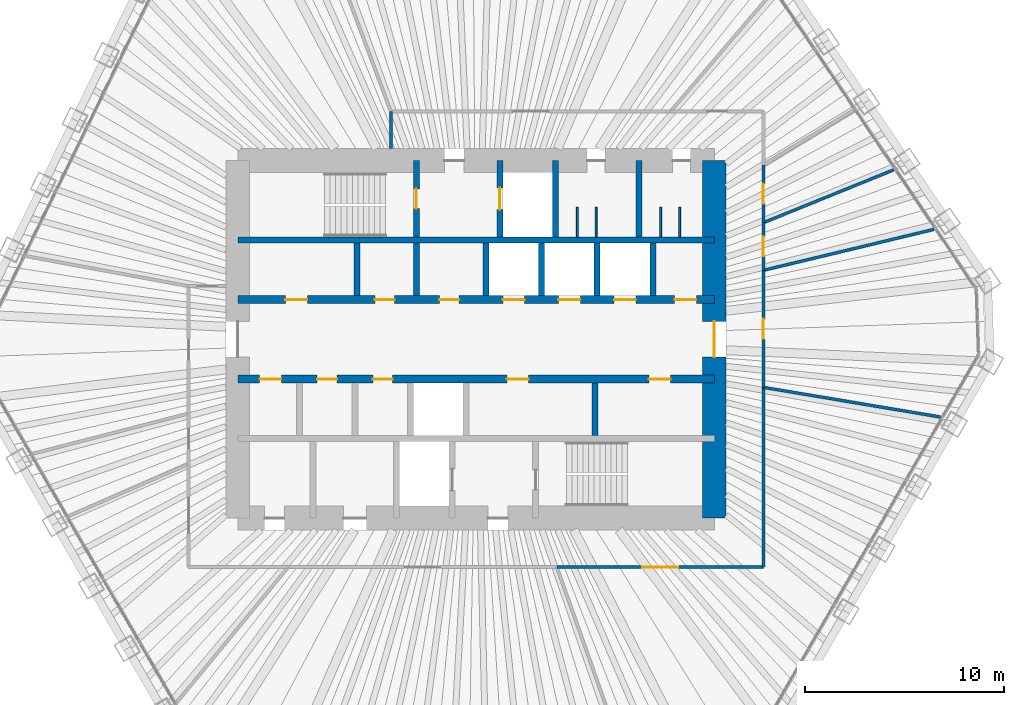
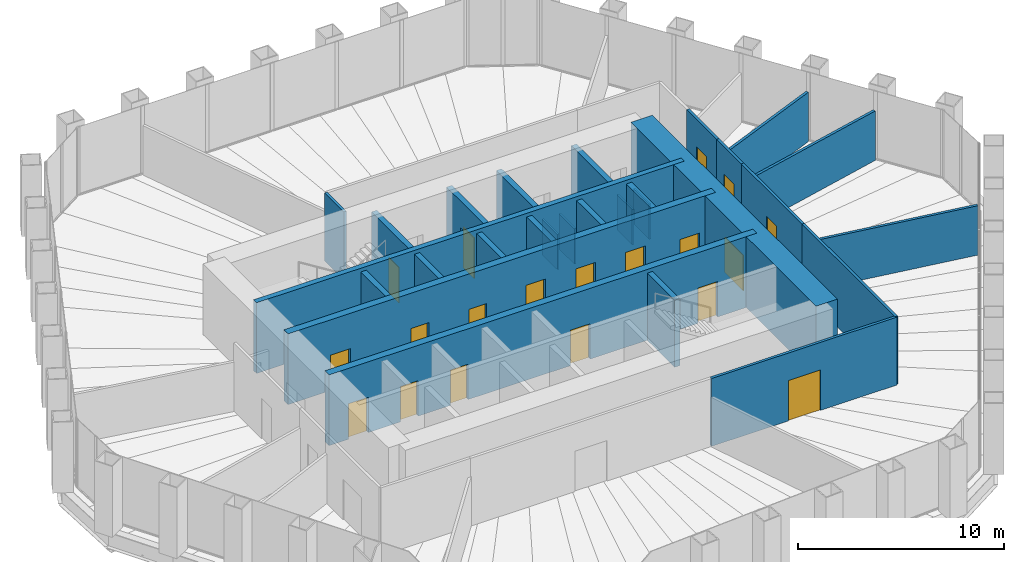
# One storey, part 11 of 13: 28 walls, 19 doors, 19 openings.
"""IFC4 building model written with IfcOpenShell, lengths in metres."""

from ifc_helpers import new_model, si_unit, direction, frame, frame_2d, origin, place, context, subcontext, project, spatial, rectangle, extrude, material, layer, layer_set, type_object, element, fill, save


model = new_model("IFC4")

# Units and contexts
model_context = context("Model", 3, precision=1e-05, world=origin(), true_north=direction((0.0, 1.0)))
body_context = subcontext(model_context, "Body", "Model", "MODEL_VIEW")
ifc_project = project(units=[si_unit("LENGTHUNIT", "METRE"), si_unit("AREAUNIT", "SQUARE_METRE"), si_unit("VOLUMEUNIT", "CUBIC_METRE"), si_unit("PLANEANGLEUNIT", "RADIAN"), si_unit("MASSUNIT", "GRAM", prefix="KILO")], contexts=[model_context])

# Site, building, storey
site_placement = place(None, origin())
site = spatial("IfcSite", under=ifc_project, at=site_placement, CompositionType="ELEMENT")
building_placement = place(site_placement, origin())
building = spatial("IfcBuilding", under=site, at=building_placement, Name="Qingtian Harvest Tower", CompositionType="ELEMENT")
storey_placement = place(building_placement, frame((0.0, 0.0, 247.60009765625)))
storey = spatial("IfcBuildingStorey", under=building, at=storey_placement, Name="L54", CompositionType="ELEMENT", Elevation=247.60009765625)

# Wall
ifc_material_1 = material(Name="Concrete fc' 70 MPa", Category="concrete")
ifc_layer_1 = layer(ifc_material_1, 0.300048828125)
ifc_layer_set_1 = layer_set([ifc_layer_1], Name="Core inner wall RC5 300")
wall_type_1 = type_object("IfcWallType", Name="Core inner wall RC5 300", PredefinedType="SHEAR", material=ifc_layer_set_1)
wall_1_placement = place(storey_placement, frame((-12.0, 5.0, 0.0), z_axis=(0.0, 0.0, 1.0), x_axis=(1.0, 0.0, 0.0)))
element("IfcWall", 1, at=wall_1_placement, inside=storey, type_object=wall_type_1, Name="Core wall IN5 L54", PredefinedType="SHEAR", context=body_context, shape_type="SweptSolid", body=[
    extrude(rectangle(XDim=24.0, YDim=0.300048828125, at=frame_2d((12.0, 0.0))), origin(), (0.0, 0.0, 1.0), 4.199951171875),
])

# Wall, openings, doors
ifc_material_2 = material(Name="Concrete fc' 70 MPa", Category="concrete")
ifc_layer_2 = layer(ifc_material_2, 0.39990234375)
ifc_layer_set_2 = layer_set([ifc_layer_2], Name="Core inner web RC6 400")
wall_type_2 = type_object("IfcWallType", Name="Core inner web RC6 400", PredefinedType="SHEAR", material=ifc_layer_set_2)
wall_2_placement = place(storey_placement, frame((-12.0, 2.0, 0.0), z_axis=(0.0, 0.0, 1.0), x_axis=(1.0, 0.0, 0.0)))
wall_2 = element("IfcWall", 2, at=wall_2_placement, inside=storey, type_object=wall_type_2, Name="Core wall IN2 L54", PredefinedType="SHEAR", context=body_context, shape_type="SweptSolid", body=[
    extrude(rectangle(XDim=24.0, YDim=0.39990234375, at=frame_2d((12.0, 0.0))), origin(), (0.0, 0.0, 1.0), 4.199951171875),
])
opening_1_placement = place(wall_2_placement, frame((2.39990234375, 0.0, 0.0)))
opening_1 = element("IfcOpeningElement", 3, at=opening_1_placement, cuts=wall_2, Name="Opening FD4", PredefinedType="OPENING", context=body_context, shape_type="SweptSolid", body=[
    extrude(rectangle(XDim=1.10009765625, YDim=2.10009765625, at=frame_2d((0.550048828125, 1.050048828125))), frame((0.0, 0.2099609375, 0.0), z_axis=(0.0, -1.0, 0.0), x_axis=(1.0, 0.0, 0.0)), (0.0, 0.0, 1.0), 0.419921875),
])
opening_2_placement = place(wall_2_placement, frame((22.0, 0.0, 0.0)))
opening_2 = element("IfcOpeningElement", 4, at=opening_2_placement, cuts=wall_2, Name="Opening FD4", PredefinedType="OPENING", context=body_context, shape_type="SweptSolid", body=[
    extrude(rectangle(XDim=1.10009765625, YDim=2.10009765625, at=frame_2d((0.550048828125, 1.050048828125))), frame((0.0, 0.2099609375, 0.0), z_axis=(0.0, -1.0, 0.0), x_axis=(1.0, 0.0, 0.0)), (0.0, 0.0, 1.0), 0.419921875),
])
opening_3_placement = place(wall_2_placement, frame((10.14990234375, 0.0, 0.0)))
opening_3 = element("IfcOpeningElement", 5, at=opening_3_placement, cuts=wall_2, Name="Opening FD1", PredefinedType="OPENING", context=body_context, shape_type="SweptSolid", body=[
    extrude(rectangle(XDim=1.0, YDim=2.10009765625, at=frame_2d((0.5, 1.050048828125))), frame((0.0, 0.2099609375, 0.0), z_axis=(0.0, -1.0, 0.0), x_axis=(1.0, 0.0, 0.0)), (0.0, 0.0, 1.0), 0.419921875),
])
opening_4_placement = place(wall_2_placement, frame((6.89990234375, 0.0, 0.0)))
opening_4 = element("IfcOpeningElement", 6, at=opening_4_placement, cuts=wall_2, Name="Opening FD1", PredefinedType="OPENING", context=body_context, shape_type="SweptSolid", body=[
    extrude(rectangle(XDim=1.0, YDim=2.10009765625, at=frame_2d((0.5, 1.050048828125))), frame((0.0, 0.2099609375, 0.0), z_axis=(0.0, -1.0, 0.0), x_axis=(1.0, 0.0, 0.0)), (0.0, 0.0, 1.0), 0.419921875),
])
opening_5_placement = place(wall_2_placement, frame((13.35009765625, 0.0, 0.0)))
opening_5 = element("IfcOpeningElement", 7, at=opening_5_placement, cuts=wall_2, Name="Opening LD1", PredefinedType="OPENING", context=body_context, shape_type="SweptSolid", body=[
    extrude(rectangle(XDim=1.10009765625, YDim=2.39990234375, at=frame_2d((0.550048828125, 1.199951171875))), frame((0.0, 0.2099609375, 0.0), z_axis=(0.0, -1.0, 0.0), x_axis=(1.0, 0.0, 0.0)), (0.0, 0.0, 1.0), 0.419921875),
])
opening_6_placement = place(wall_2_placement, frame((16.14990234375, 0.0, 0.0)))
opening_6 = element("IfcOpeningElement", 8, at=opening_6_placement, cuts=wall_2, Name="Opening LD1", PredefinedType="OPENING", context=body_context, shape_type="SweptSolid", body=[
    extrude(rectangle(XDim=1.10009765625, YDim=2.39990234375, at=frame_2d((0.550048828125, 1.199951171875))), frame((0.0, 0.2099609375, 0.0), z_axis=(0.0, -1.0, 0.0), x_axis=(1.0, 0.0, 0.0)), (0.0, 0.0, 1.0), 0.419921875),
])
opening_7_placement = place(wall_2_placement, frame((18.949951171875, 0.0, 0.0)))
opening_7 = element("IfcOpeningElement", 9, at=opening_7_placement, cuts=wall_2, Name="Opening LD1", PredefinedType="OPENING", context=body_context, shape_type="SweptSolid", body=[
    extrude(rectangle(XDim=1.10009765625, YDim=2.39990234375, at=frame_2d((0.550048828125, 1.199951171875))), frame((0.0, 0.2099609375, 0.0), z_axis=(0.0, -1.0, 0.0), x_axis=(1.0, 0.0, 0.0)), (0.0, 0.0, 1.0), 0.419921875),
])
ifc_material_3 = material(Name="Steel-faced door leaf", Category="steel")
door_type_1 = type_object("IfcDoorType", Name="Fire door FD1 single 1 HR", OperationType="SINGLE_SWING_LEFT", PredefinedType="DOOR", material=ifc_material_3)
door_1_placement = place(opening_3_placement, origin())
door_1 = element("IfcDoor", 10, at=door_1_placement, inside=storey, type_object=door_type_1, Name="STA door L54", OperationType="SINGLE_SWING_LEFT", OverallHeight=2.10009765625, OverallWidth=1.0, PredefinedType="DOOR", context=body_context, shape_type="SweptSolid", body=[
    extrude(rectangle(XDim=1.0, YDim=2.10009765625, at=frame_2d((0.5, 1.050048828125))), frame((0.0, 0.02490234375, 0.0), z_axis=(0.0, -1.0, 0.0), x_axis=(1.0, 0.0, 0.0)), (0.0, 0.0, 1.0), 0.050048828125),
])
fill(opening_3, door_1)
door_2_placement = place(opening_4_placement, origin())
door_2 = element("IfcDoor", 11, at=door_2_placement, inside=storey, type_object=door_type_1, Name="Staff WC door L54", OperationType="SINGLE_SWING_LEFT", OverallHeight=2.10009765625, OverallWidth=1.0, PredefinedType="DOOR", context=body_context, shape_type="SweptSolid", body=[
    extrude(rectangle(XDim=1.0, YDim=2.10009765625, at=frame_2d((0.5, 1.050048828125))), frame((0.0, 0.02490234375, 0.0), z_axis=(0.0, -1.0, 0.0), x_axis=(1.0, 0.0, 0.0)), (0.0, 0.0, 1.0), 0.050048828125),
])
fill(opening_4, door_2)
ifc_material_4 = material(Name="Steel-faced door leaf", Category="steel")
door_type_2 = type_object("IfcDoorType", Name="Fire door FD4 single 2 HR", OperationType="SINGLE_SWING_LEFT", PredefinedType="DOOR", material=ifc_material_4)
door_3_placement = place(opening_1_placement, origin())
door_3 = element("IfcDoor", 12, at=door_3_placement, inside=storey, type_object=door_type_2, Name="RA door L54", OperationType="SINGLE_SWING_LEFT", OverallHeight=2.10009765625, OverallWidth=1.10009765625, PredefinedType="DOOR", context=body_context, shape_type="SweptSolid", body=[
    extrude(rectangle(XDim=1.10009765625, YDim=2.10009765625, at=frame_2d((0.550048828125, 1.050048828125))), frame((0.0, 0.02490234375, 0.0), z_axis=(0.0, -1.0, 0.0), x_axis=(1.0, 0.0, 0.0)), (0.0, 0.0, 1.0), 0.050048828125),
])
fill(opening_1, door_3)
door_4_placement = place(opening_2_placement, origin())
door_4 = element("IfcDoor", 13, at=door_4_placement, inside=storey, type_object=door_type_2, Name="AHU door L54", OperationType="SINGLE_SWING_RIGHT", OverallHeight=2.10009765625, OverallWidth=1.10009765625, PredefinedType="DOOR", context=body_context, shape_type="SweptSolid", body=[
    extrude(rectangle(XDim=1.10009765625, YDim=2.10009765625, at=frame_2d((0.550048828125, 1.050048828125))), frame((0.0, 0.02490234375, 0.0), z_axis=(0.0, -1.0, 0.0), x_axis=(1.0, 0.0, 0.0)), (0.0, 0.0, 1.0), 0.050048828125),
])
fill(opening_2, door_4)
ifc_material_5 = material(Name="Stainless steel lift landing door", Category="steel")
door_type_3 = type_object("IfcDoorType", Name="Lift landing door LD1 1 HR", OperationType="DOUBLE_DOOR_SLIDING", PredefinedType="DOOR", material=ifc_material_5)
door_5_placement = place(opening_5_placement, origin())
door_5 = element("IfcDoor", 14, at=door_5_placement, inside=storey, type_object=door_type_3, Name="PLC1 landing door L54", OperationType="DOUBLE_DOOR_SLIDING", OverallHeight=2.39990234375, OverallWidth=1.10009765625, PredefinedType="DOOR", context=body_context, shape_type="SweptSolid", body=[
    extrude(rectangle(XDim=1.10009765625, YDim=2.39990234375, at=frame_2d((0.550048828125, 1.199951171875))), frame((0.0, 0.02490234375, 0.0), z_axis=(0.0, -1.0, 0.0), x_axis=(1.0, 0.0, 0.0)), (0.0, 0.0, 1.0), 0.050048828125),
])
fill(opening_5, door_5)
door_6_placement = place(opening_6_placement, origin())
door_6 = element("IfcDoor", 15, at=door_6_placement, inside=storey, type_object=door_type_3, Name="PLC2 landing door L54", OperationType="DOUBLE_DOOR_SLIDING", OverallHeight=2.39990234375, OverallWidth=1.10009765625, PredefinedType="DOOR", context=body_context, shape_type="SweptSolid", body=[
    extrude(rectangle(XDim=1.10009765625, YDim=2.39990234375, at=frame_2d((0.550048828125, 1.199951171875))), frame((0.0, 0.02490234375, 0.0), z_axis=(0.0, -1.0, 0.0), x_axis=(1.0, 0.0, 0.0)), (0.0, 0.0, 1.0), 0.050048828125),
])
fill(opening_6, door_6)
door_7_placement = place(opening_7_placement, origin())
door_7 = element("IfcDoor", 16, at=door_7_placement, inside=storey, type_object=door_type_3, Name="PLC3 landing door L54", OperationType="DOUBLE_DOOR_SLIDING", OverallHeight=2.39990234375, OverallWidth=1.10009765625, PredefinedType="DOOR", context=body_context, shape_type="SweptSolid", body=[
    extrude(rectangle(XDim=1.10009765625, YDim=2.39990234375, at=frame_2d((0.550048828125, 1.199951171875))), frame((0.0, 0.02490234375, 0.0), z_axis=(0.0, -1.0, 0.0), x_axis=(1.0, 0.0, 0.0)), (0.0, 0.0, 1.0), 0.050048828125),
])
fill(opening_7, door_7)

wall_3_placement = place(storey_placement, frame((-12.0, -2.0, 0.0), z_axis=(0.0, 0.0, 1.0), x_axis=(1.0, 0.0, 0.0)))
wall_3 = element("IfcWall", 17, at=wall_3_placement, inside=storey, type_object=wall_type_2, Name="Core wall IS2 L54", PredefinedType="SHEAR", context=body_context, shape_type="SweptSolid", body=[
    extrude(rectangle(XDim=24.0, YDim=0.39990234375, at=frame_2d((12.0, 0.0))), origin(), (0.0, 0.0, 1.0), 4.199951171875),
])
opening_8_placement = place(wall_3_placement, frame((1.10009765625, 0.0, 0.0)))
opening_8 = element("IfcOpeningElement", 18, at=opening_8_placement, cuts=wall_3, Name="Opening FD4", PredefinedType="OPENING", context=body_context, shape_type="SweptSolid", body=[
    extrude(rectangle(XDim=1.10009765625, YDim=2.10009765625, at=frame_2d((0.550048828125, 1.050048828125))), frame((0.0, 0.2099609375, 0.0), z_axis=(0.0, -1.0, 0.0), x_axis=(1.0, 0.0, 0.0)), (0.0, 0.0, 1.0), 0.419921875),
])
opening_9_placement = place(wall_3_placement, frame((13.550048828125, 0.0, 0.0)))
opening_9 = element("IfcOpeningElement", 19, at=opening_9_placement, cuts=wall_3, Name="Opening FD4", PredefinedType="OPENING", context=body_context, shape_type="SweptSolid", body=[
    extrude(rectangle(XDim=1.10009765625, YDim=2.10009765625, at=frame_2d((0.550048828125, 1.050048828125))), frame((0.0, 0.2099609375, 0.0), z_axis=(0.0, -1.0, 0.0), x_axis=(1.0, 0.0, 0.0)), (0.0, 0.0, 1.0), 0.419921875),
])
opening_10_placement = place(wall_3_placement, frame((20.699951171875, 0.0, 0.0)))
opening_10 = element("IfcOpeningElement", 20, at=opening_10_placement, cuts=wall_3, Name="Opening FD4", PredefinedType="OPENING", context=body_context, shape_type="SweptSolid", body=[
    extrude(rectangle(XDim=1.10009765625, YDim=2.10009765625, at=frame_2d((0.550048828125, 1.050048828125))), frame((0.0, 0.2099609375, 0.0), z_axis=(0.0, -1.0, 0.0), x_axis=(1.0, 0.0, 0.0)), (0.0, 0.0, 1.0), 0.419921875),
])
opening_11_placement = place(wall_3_placement, frame((4.0, 0.0, 0.0)))
opening_11 = element("IfcOpeningElement", 21, at=opening_11_placement, cuts=wall_3, Name="Opening FD1", PredefinedType="OPENING", context=body_context, shape_type="SweptSolid", body=[
    extrude(rectangle(XDim=1.0, YDim=2.10009765625, at=frame_2d((0.5, 1.050048828125))), frame((0.0, 0.2099609375, 0.0), z_axis=(0.0, -1.0, 0.0), x_axis=(1.0, 0.0, 0.0)), (0.0, 0.0, 1.0), 0.419921875),
])
opening_12_placement = place(wall_3_placement, frame((6.800048828125, 0.0, 0.0)))
opening_12 = element("IfcOpeningElement", 22, at=opening_12_placement, cuts=wall_3, Name="Opening FD1", PredefinedType="OPENING", context=body_context, shape_type="SweptSolid", body=[
    extrude(rectangle(XDim=1.0, YDim=2.10009765625, at=frame_2d((0.5, 1.050048828125))), frame((0.0, 0.2099609375, 0.0), z_axis=(0.0, -1.0, 0.0), x_axis=(1.0, 0.0, 0.0)), (0.0, 0.0, 1.0), 0.419921875),
])
door_8_placement = place(opening_11_placement, origin())
door_8 = element("IfcDoor", 23, at=door_8_placement, inside=storey, type_object=door_type_1, Name="Archive store door L54", OperationType="SINGLE_SWING_RIGHT", OverallHeight=2.10009765625, OverallWidth=1.0, PredefinedType="DOOR", context=body_context, shape_type="SweptSolid", body=[
    extrude(rectangle(XDim=1.0, YDim=2.10009765625, at=frame_2d((0.5, 1.050048828125))), frame((0.0, 0.02490234375, 0.0), z_axis=(0.0, -1.0, 0.0), x_axis=(1.0, 0.0, 0.0)), (0.0, 0.0, 1.0), 0.050048828125),
])
fill(opening_11, door_8)
door_9_placement = place(opening_12_placement, origin())
door_9 = element("IfcDoor", 24, at=door_9_placement, inside=storey, type_object=door_type_1, Name="Staff WC door L54", OperationType="SINGLE_SWING_RIGHT", OverallHeight=2.10009765625, OverallWidth=1.0, PredefinedType="DOOR", context=body_context, shape_type="SweptSolid", body=[
    extrude(rectangle(XDim=1.0, YDim=2.10009765625, at=frame_2d((0.5, 1.050048828125))), frame((0.0, 0.02490234375, 0.0), z_axis=(0.0, -1.0, 0.0), x_axis=(1.0, 0.0, 0.0)), (0.0, 0.0, 1.0), 0.050048828125),
])
fill(opening_12, door_9)
door_10_placement = place(opening_8_placement, origin())
door_10 = element("IfcDoor", 25, at=door_10_placement, inside=storey, type_object=door_type_2, Name="RB door L54", OperationType="SINGLE_SWING_RIGHT", OverallHeight=2.10009765625, OverallWidth=1.10009765625, PredefinedType="DOOR", context=body_context, shape_type="SweptSolid", body=[
    extrude(rectangle(XDim=1.10009765625, YDim=2.10009765625, at=frame_2d((0.550048828125, 1.050048828125))), frame((0.0, 0.02490234375, 0.0), z_axis=(0.0, -1.0, 0.0), x_axis=(1.0, 0.0, 0.0)), (0.0, 0.0, 1.0), 0.050048828125),
])
fill(opening_8, door_10)
door_11_placement = place(opening_9_placement, origin())
door_11 = element("IfcDoor", 26, at=door_11_placement, inside=storey, type_object=door_type_2, Name="ELEC door L54", OperationType="SINGLE_SWING_LEFT", OverallHeight=2.10009765625, OverallWidth=1.10009765625, PredefinedType="DOOR", context=body_context, shape_type="SweptSolid", body=[
    extrude(rectangle(XDim=1.10009765625, YDim=2.10009765625, at=frame_2d((0.550048828125, 1.050048828125))), frame((0.0, 0.02490234375, 0.0), z_axis=(0.0, -1.0, 0.0), x_axis=(1.0, 0.0, 0.0)), (0.0, 0.0, 1.0), 0.050048828125),
])
fill(opening_9, door_11)
door_12_placement = place(opening_10_placement, origin())
door_12 = element("IfcDoor", 27, at=door_12_placement, inside=storey, type_object=door_type_2, Name="DUCT door L54", OperationType="SINGLE_SWING_LEFT", OverallHeight=2.10009765625, OverallWidth=1.10009765625, PredefinedType="DOOR", context=body_context, shape_type="SweptSolid", body=[
    extrude(rectangle(XDim=1.10009765625, YDim=2.10009765625, at=frame_2d((0.550048828125, 1.050048828125))), frame((0.0, 0.02490234375, 0.0), z_axis=(0.0, -1.0, 0.0), x_axis=(1.0, 0.0, 0.0)), (0.0, 0.0, 1.0), 0.050048828125),
])
fill(opening_10, door_12)

# Wall, opening, door
ifc_material_6 = material(Name="Precast concrete shaft panel", Category="concrete")
ifc_layer_3 = layer(ifc_material_6, 0.300048828125)
ifc_layer_set_3 = layer_set([ifc_layer_3], Name="Core shaft partition SW1 300")
wall_type_3 = type_object("IfcWallType", Name="Core shaft partition SW1 300", PredefinedType="PARTITIONING", material=ifc_layer_set_3)
wall_4_placement = place(storey_placement, frame((-3.0, 5.14990234375, 0.0), z_axis=(0.0, 0.0, 1.0), x_axis=(0.0, 1.0, 0.0)))
wall_4 = element("IfcWall", 28, at=wall_4_placement, inside=storey, type_object=wall_type_3, Name="Core shaft partition XN1 L54", PredefinedType="PARTITIONING", context=body_context, shape_type="SweptSolid", body=[
    extrude(rectangle(XDim=3.85009765625, YDim=0.300048828125, at=frame_2d((1.925048828125, 0.0))), origin(), (0.0, 0.0, 1.0), 3.97998046875),
])
opening_13_placement = place(wall_4_placement, frame((1.425048828125, 0.0, 0.0)))
opening_13 = element("IfcOpeningElement", 29, at=opening_13_placement, cuts=wall_4, Name="Opening FD1", PredefinedType="OPENING", context=body_context, shape_type="SweptSolid", body=[
    extrude(rectangle(XDim=1.0, YDim=2.10009765625, at=frame_2d((0.5, 1.050048828125))), frame((0.0, 0.159912109375, 0.0), z_axis=(0.0, -1.0, 0.0), x_axis=(1.0, 0.0, 0.0)), (0.0, 0.0, 1.0), 0.320068359375),
])
door_13_placement = place(opening_13_placement, origin())
door_13 = element("IfcDoor", 30, at=door_13_placement, inside=storey, type_object=door_type_1, Name="S1 door L54", OperationType="SINGLE_SWING_LEFT", OverallHeight=2.10009765625, OverallWidth=1.0, PredefinedType="DOOR", context=body_context, shape_type="SweptSolid", body=[
    extrude(rectangle(XDim=1.0, YDim=2.10009765625, at=frame_2d((0.5, 1.050048828125))), frame((0.0, 0.02490234375, 0.0), z_axis=(0.0, -1.0, 0.0), x_axis=(1.0, 0.0, 0.0)), (0.0, 0.0, 1.0), 0.050048828125),
])
fill(opening_13, door_13)

wall_5_placement = place(storey_placement, frame((1.199951171875, 5.14990234375, 0.0), z_axis=(0.0, 0.0, 1.0), x_axis=(0.0, 1.0, 0.0)))
wall_5 = element("IfcWall", 31, at=wall_5_placement, inside=storey, type_object=wall_type_3, Name="Core shaft partition XN2 L54", PredefinedType="PARTITIONING", context=body_context, shape_type="SweptSolid", body=[
    extrude(rectangle(XDim=3.85009765625, YDim=0.300048828125, at=frame_2d((1.925048828125, 0.0))), origin(), (0.0, 0.0, 1.0), 3.97998046875),
])
opening_14_placement = place(wall_5_placement, frame((1.375, 0.0, 0.0)))
opening_14 = element("IfcOpeningElement", 32, at=opening_14_placement, cuts=wall_5, Name="Opening LD1", PredefinedType="OPENING", context=body_context, shape_type="SweptSolid", body=[
    extrude(rectangle(XDim=1.10009765625, YDim=2.39990234375, at=frame_2d((0.550048828125, 1.199951171875))), frame((0.0, 0.159912109375, 0.0), z_axis=(0.0, -1.0, 0.0), x_axis=(1.0, 0.0, 0.0)), (0.0, 0.0, 1.0), 0.320068359375),
])
door_14_placement = place(opening_14_placement, origin())
door_14 = element("IfcDoor", 33, at=door_14_placement, inside=storey, type_object=door_type_3, Name="FL1 landing door L54", OperationType="DOUBLE_DOOR_SLIDING", OverallHeight=2.39990234375, OverallWidth=1.10009765625, PredefinedType="DOOR", context=body_context, shape_type="SweptSolid", body=[
    extrude(rectangle(XDim=1.10009765625, YDim=2.39990234375, at=frame_2d((0.550048828125, 1.199951171875))), frame((0.0, 0.02490234375, 0.0), z_axis=(0.0, -1.0, 0.0), x_axis=(1.0, 0.0, 0.0)), (0.0, 0.0, 1.0), 0.050048828125),
])
fill(opening_14, door_14)

# Walls
for number, where, z_axis, x_axis, name in (
    (34, (4.0, 5.14990234375, 0.0), (0.0, 0.0, 1.0), (0.0, 1.0, 0.0), "Core shaft partition XN3 L54"),
    (35, (8.199951171875, 5.14990234375, 0.0), (0.0, 0.0, 1.0), (0.0, 1.0, 0.0), "Core shaft partition XN4 L54"),
):
    element("IfcWall", number, at=place(storey_placement, frame(where, z_axis=z_axis, x_axis=x_axis)), inside=storey, type_object=wall_type_3, Name=name, PredefinedType="PARTITIONING", context=body_context, shape_type="SweptSolid", body=[
        extrude(rectangle(XDim=3.85009765625, YDim=0.300048828125, at=frame_2d((1.925048828125, 0.0))), origin(), (0.0, 0.0, 1.0), 3.97998046875),
    ])
for number, where, z_axis, x_axis, name in (
    (36, (-6.0, 2.199951171875, 0.0), (0.0, 0.0, 1.0), (0.0, 1.0, 0.0), "Core shaft partition XA1 L54"),
    (37, (-3.0, 2.199951171875, 0.0), (0.0, 0.0, 1.0), (0.0, 1.0, 0.0), "Core shaft partition XA2 L54"),
    (38, (0.5, 2.199951171875, 0.0), (0.0, 0.0, 1.0), (0.0, 1.0, 0.0), "Core shaft partition XA3 L54"),
    (39, (3.300048828125, 2.199951171875, 0.0), (0.0, 0.0, 1.0), (0.0, 1.0, 0.0), "Core shaft partition XA4 L54"),
    (40, (6.10009765625, 2.199951171875, 0.0), (0.0, 0.0, 1.0), (0.0, 1.0, 0.0), "Core shaft partition XA5 L54"),
    (41, (8.89990234375, 2.199951171875, 0.0), (0.0, 0.0, 1.0), (0.0, 1.0, 0.0), "Core shaft partition XA6 L54"),
    (42, (6.0, -4.85009765625, 0.0), (0.0, 0.0, 1.0), (0.0, 1.0, 0.0), "Core shaft partition XB5 L54"),
):
    element("IfcWall", number, at=place(storey_placement, frame(where, z_axis=z_axis, x_axis=x_axis)), inside=storey, type_object=wall_type_3, Name=name, PredefinedType="PARTITIONING", context=body_context, shape_type="SweptSolid", body=[
        extrude(rectangle(XDim=2.650146484375, YDim=0.300048828125, at=frame_2d((1.3251953125, 0.0))), origin(), (0.0, 0.0, 1.0), 3.97998046875),
    ])

# Wall, opening, door
ifc_material_7 = material(Name="Concrete fc' 70 MPa", Category="concrete")
ifc_layer_4 = layer(ifc_material_7, 1.199951171875)
ifc_layer_set_4 = layer_set([ifc_layer_4], Name="Core wall RC2 1200")
wall_type_4 = type_object("IfcWallType", Name="Core wall RC2 1200", PredefinedType="SHEAR", material=ifc_layer_set_4)
wall_6_placement = place(storey_placement, frame((12.0, -9.0, 0.0), z_axis=(0.0, 0.0, 1.0), x_axis=(0.0, 1.0, 0.0)))
wall_6 = element("IfcWall", 43, at=wall_6_placement, inside=storey, type_object=wall_type_4, Name="Core wall CE L54", PredefinedType="SHEAR", context=body_context, shape_type="SweptSolid", body=[
    extrude(rectangle(XDim=18.0, YDim=1.199951171875, at=frame_2d((9.0, 0.0))), origin(), (0.0, 0.0, 1.0), 4.199951171875),
])
opening_15_placement = place(wall_6_placement, frame((8.10009765625, 0.0, 0.0)))
opening_15 = element("IfcOpeningElement", 44, at=opening_15_placement, cuts=wall_6, Name="Opening FD2", PredefinedType="OPENING", context=body_context, shape_type="SweptSolid", body=[
    extrude(rectangle(XDim=1.800048828125, YDim=2.10009765625, at=frame_2d((0.89990234375, 1.050048828125))), frame((0.0, 0.60986328125, 0.0), z_axis=(0.0, -1.0, 0.0), x_axis=(1.0, 0.0, 0.0)), (0.0, 0.0, 1.0), 1.219970703125),
])
ifc_material_8 = material(Name="Steel-faced door leaf", Category="steel")
door_type_4 = type_object("IfcDoorType", Name="Fire door FD2 double 1 HR", OperationType="DOUBLE_DOOR_DOUBLE_SWING", PredefinedType="DOOR", material=ifc_material_8)
door_15_placement = place(opening_15_placement, origin())
door_15 = element("IfcDoor", 45, at=door_15_placement, inside=storey, type_object=door_type_4, Name="LOBBY-E door L54", OperationType="DOUBLE_DOOR_DOUBLE_SWING", OverallHeight=2.10009765625, OverallWidth=1.800048828125, PredefinedType="DOOR", context=body_context, shape_type="SweptSolid", body=[
    extrude(rectangle(XDim=1.800048828125, YDim=2.10009765625, at=frame_2d((0.89990234375, 1.050048828125))), frame((0.0, 0.02490234375, 0.0), z_axis=(0.0, -1.0, 0.0), x_axis=(1.0, 0.0, 0.0)), (0.0, 0.0, 1.0), 0.050048828125),
])
fill(opening_15, door_15)

# Walls
ifc_material_9 = material(Name="Gypsum board on steel studs", Category="steel")
ifc_layer_5 = layer(ifc_material_9, 0.14990234375)
ifc_layer_set_5 = layer_set([ifc_layer_5], Name="Partition PT1 150")
wall_type_5 = type_object("IfcWallType", Name="Partition PT1 150", PredefinedType="PARTITIONING", material=ifc_layer_set_5)
wall_7_placement = place(storey_placement, frame((23.383056640625, -3.912109375, 0.0), z_axis=(0.0, 0.0, 1.0), x_axis=(-0.986293651891, 0.164999491631, 0.0)))
element("IfcWall", 46, at=wall_7_placement, inside=storey, type_object=wall_type_5, Name="Office suite wall L54", PredefinedType="PARTITIONING", context=body_context, shape_type="SweptSolid", body=[
    extrude(rectangle(XDim=9.03173828125, YDim=0.14990234375, at=frame_2d((4.515869140625, 0.0))), origin(), (0.0, 0.0, 1.0), 2.929931640625),
])
wall_8_placement = place(storey_placement, frame((14.47509765625, -2.421875, 0.0), z_axis=(0.0, 0.0, 1.0), x_axis=(0.0, -1.0, 0.0)))
element("IfcWall", 47, at=wall_8_placement, inside=storey, type_object=wall_type_5, Name="Office suite wall L54", PredefinedType="PARTITIONING", context=body_context, shape_type="SweptSolid", body=[
    extrude(rectangle(XDim=9.05322265625, YDim=0.14990234375, at=frame_2d((4.526611328125, 0.0))), origin(), (0.0, 0.0, 1.0), 4.02978515625),
])

# Wall, opening, door
wall_9_placement = place(storey_placement, frame((14.47509765625, -11.47509765625, 0.0), z_axis=(0.0, 0.0, 1.0), x_axis=(-1.0, 0.0, 0.0)))
wall_9 = element("IfcWall", 48, at=wall_9_placement, inside=storey, type_object=wall_type_5, Name="Office suite wall L54", PredefinedType="PARTITIONING", context=body_context, shape_type="SweptSolid", body=[
    extrude(rectangle(XDim=10.405517578125, YDim=0.14990234375, at=frame_2d((5.20263671875, 0.0))), origin(), (0.0, 0.0, 1.0), 4.02978515625),
])
opening_16_placement = place(wall_9_placement, frame((4.302734375, 0.0, 0.0)))
opening_16 = element("IfcOpeningElement", 49, at=opening_16_placement, cuts=wall_9, Name="Opening D3", PredefinedType="OPENING", context=body_context, shape_type="SweptSolid", body=[
    extrude(rectangle(XDim=1.800048828125, YDim=2.39990234375, at=frame_2d((0.89990234375, 1.199951171875))), frame((0.0, 0.0849609375, 0.0), z_axis=(0.0, -1.0, 0.0), x_axis=(1.0, 0.0, 0.0)), (0.0, 0.0, 1.0), 0.169921875),
])
ifc_material_10 = material(Name="Laminated timber door leaf", Category="wood")
door_type_5 = type_object("IfcDoorType", Name="Room door D3 double", OperationType="DOUBLE_DOOR_DOUBLE_SWING", PredefinedType="DOOR", material=ifc_material_10)
door_16_placement = place(opening_16_placement, origin())
door_16 = element("IfcDoor", 50, at=door_16_placement, inside=storey, type_object=door_type_5, Name="Office suite door L54", OperationType="DOUBLE_DOOR_DOUBLE_SWING", OverallHeight=2.39990234375, OverallWidth=1.800048828125, PredefinedType="DOOR", context=body_context, shape_type="SweptSolid", body=[
    extrude(rectangle(XDim=1.800048828125, YDim=2.39990234375, at=frame_2d((0.89990234375, 1.199951171875))), frame((0.0, 0.02490234375, 0.0), z_axis=(0.0, -1.0, 0.0), x_axis=(1.0, 0.0, 0.0)), (0.0, 0.0, 1.0), 0.050048828125),
])
fill(opening_16, door_16)

# Wall
wall_10_placement = place(storey_placement, frame((-4.290771484375, 9.60009765625, 0.0), z_axis=(0.0, 0.0, 1.0), x_axis=(0.0, 1.0, 0.0)))
element("IfcWall", 51, at=wall_10_placement, inside=storey, type_object=wall_type_5, Name="Office suite wall L54", PredefinedType="PARTITIONING", context=body_context, shape_type="SweptSolid", body=[
    extrude(rectangle(XDim=1.875, YDim=0.14990234375, at=frame_2d((0.9375, 0.0))), origin(), (0.0, 0.0, 1.0), 4.02978515625),
])

# Wall, opening, door
wall_11_placement = place(storey_placement, frame((14.47509765625, 8.783447265625, 0.0), z_axis=(0.0, 0.0, 1.0), x_axis=(0.0, -1.0, 0.0)))
wall_11 = element("IfcWall", 52, at=wall_11_placement, inside=storey, type_object=wall_type_5, Name="Print room wall L54", PredefinedType="PARTITIONING", context=body_context, shape_type="SweptSolid", body=[
    extrude(rectangle(XDim=2.90966796875, YDim=0.14990234375, at=frame_2d((1.454833984375, 0.0))), origin(), (0.0, 0.0, 1.0), 4.02978515625),
])
opening_17_placement = place(wall_11_placement, frame((0.954833984375, 0.0, 0.0)))
opening_17 = element("IfcOpeningElement", 53, at=opening_17_placement, cuts=wall_11, Name="Opening D2", PredefinedType="OPENING", context=body_context, shape_type="SweptSolid", body=[
    extrude(rectangle(XDim=1.0, YDim=2.39990234375, at=frame_2d((0.5, 1.199951171875))), frame((0.0, 0.0849609375, 0.0), z_axis=(0.0, -1.0, 0.0), x_axis=(1.0, 0.0, 0.0)), (0.0, 0.0, 1.0), 0.169921875),
])
ifc_material_11 = material(Name="Laminated timber door leaf", Category="wood")
door_type_6 = type_object("IfcDoorType", Name="Room door D2 single", OperationType="SINGLE_SWING_LEFT", PredefinedType="DOOR", material=ifc_material_11)
door_17_placement = place(opening_17_placement, origin())
door_17 = element("IfcDoor", 54, at=door_17_placement, inside=storey, type_object=door_type_6, Name="Print room door L54", OperationType="SINGLE_SWING_LEFT", OverallHeight=2.39990234375, OverallWidth=1.0, PredefinedType="DOOR", context=body_context, shape_type="SweptSolid", body=[
    extrude(rectangle(XDim=1.0, YDim=2.39990234375, at=frame_2d((0.5, 1.199951171875))), frame((0.0, 0.02490234375, 0.0), z_axis=(0.0, -1.0, 0.0), x_axis=(1.0, 0.0, 0.0)), (0.0, 0.0, 1.0), 0.050048828125),
])
fill(opening_17, door_17)

# Wall
wall_12_placement = place(storey_placement, frame((21.02587890625, 8.531982421875, 0.0), z_axis=(0.0, 0.0, 1.0), x_axis=(-0.926617028548, -0.376006492503, 0.0)))
element("IfcWall", 55, at=wall_12_placement, inside=storey, type_object=wall_type_5, Name="Store room wall L54", PredefinedType="PARTITIONING", context=body_context, shape_type="SweptSolid", body=[
    extrude(rectangle(XDim=7.069580078125, YDim=0.14990234375, at=frame_2d((3.53466796875, 0.0))), origin(), (0.0, 0.0, 1.0), 2.929931640625),
])

# Wall, opening, door
wall_13_placement = place(storey_placement, frame((14.47509765625, 5.873779296875, 0.0), z_axis=(0.0, 0.0, 1.0), x_axis=(0.0, -1.0, 0.0)))
wall_13 = element("IfcWall", 56, at=wall_13_placement, inside=storey, type_object=wall_type_5, Name="Store room wall L54", PredefinedType="PARTITIONING", context=body_context, shape_type="SweptSolid", body=[
    extrude(rectangle(XDim=2.399169921875, YDim=0.14990234375, at=frame_2d((1.19970703125, 0.0))), origin(), (0.0, 0.0, 1.0), 4.02978515625),
])
opening_18_placement = place(wall_13_placement, frame((0.699462890625, 0.0, 0.0)))
opening_18 = element("IfcOpeningElement", 57, at=opening_18_placement, cuts=wall_13, Name="Opening D2", PredefinedType="OPENING", context=body_context, shape_type="SweptSolid", body=[
    extrude(rectangle(XDim=1.0, YDim=2.39990234375, at=frame_2d((0.5, 1.199951171875))), frame((0.0, 0.0849609375, 0.0), z_axis=(0.0, -1.0, 0.0), x_axis=(1.0, 0.0, 0.0)), (0.0, 0.0, 1.0), 0.169921875),
])
door_18_placement = place(opening_18_placement, origin())
door_18 = element("IfcDoor", 58, at=door_18_placement, inside=storey, type_object=door_type_6, Name="Store room door L54", OperationType="SINGLE_SWING_LEFT", OverallHeight=2.39990234375, OverallWidth=1.0, PredefinedType="DOOR", context=body_context, shape_type="SweptSolid", body=[
    extrude(rectangle(XDim=1.0, YDim=2.39990234375, at=frame_2d((0.5, 1.199951171875))), frame((0.0, 0.02490234375, 0.0), z_axis=(0.0, -1.0, 0.0), x_axis=(1.0, 0.0, 0.0)), (0.0, 0.0, 1.0), 0.050048828125),
])
fill(opening_18, door_18)

# Wall
wall_14_placement = place(storey_placement, frame((23.052978515625, 5.53369140625, 0.0), z_axis=(0.0, 0.0, 1.0), x_axis=(-0.972377252501, -0.233414821335, 0.0)))
element("IfcWall", 59, at=wall_14_placement, inside=storey, type_object=wall_type_5, Name="Meeting room wall L54", PredefinedType="PARTITIONING", context=body_context, shape_type="SweptSolid", body=[
    extrude(rectangle(XDim=8.821533203125, YDim=0.14990234375, at=frame_2d((4.41064453125, 0.0))), origin(), (0.0, 0.0, 1.0), 2.929931640625),
])

# Wall, opening, door
wall_15_placement = place(storey_placement, frame((14.47509765625, 3.474609375, 0.0), z_axis=(0.0, 0.0, 1.0), x_axis=(0.0, -1.0, 0.0)))
wall_15 = element("IfcWall", 60, at=wall_15_placement, inside=storey, type_object=wall_type_5, Name="Meeting room wall L54", PredefinedType="PARTITIONING", context=body_context, shape_type="SweptSolid", body=[
    extrude(rectangle(XDim=5.896484375, YDim=0.14990234375, at=frame_2d((2.9482421875, 0.0))), origin(), (0.0, 0.0, 1.0), 4.02978515625),
])
opening_19_placement = place(wall_15_placement, frame((2.4482421875, 0.0, 0.0)))
opening_19 = element("IfcOpeningElement", 61, at=opening_19_placement, cuts=wall_15, Name="Opening D2", PredefinedType="OPENING", context=body_context, shape_type="SweptSolid", body=[
    extrude(rectangle(XDim=1.0, YDim=2.39990234375, at=frame_2d((0.5, 1.199951171875))), frame((0.0, 0.0849609375, 0.0), z_axis=(0.0, -1.0, 0.0), x_axis=(1.0, 0.0, 0.0)), (0.0, 0.0, 1.0), 0.169921875),
])
door_19_placement = place(opening_19_placement, origin())
door_19 = element("IfcDoor", 62, at=door_19_placement, inside=storey, type_object=door_type_6, Name="Meeting room door L54", OperationType="SINGLE_SWING_LEFT", OverallHeight=2.39990234375, OverallWidth=1.0, PredefinedType="DOOR", context=body_context, shape_type="SweptSolid", body=[
    extrude(rectangle(XDim=1.0, YDim=2.39990234375, at=frame_2d((0.5, 1.199951171875))), frame((0.0, 0.02490234375, 0.0), z_axis=(0.0, -1.0, 0.0), x_axis=(1.0, 0.0, 0.0)), (0.0, 0.0, 1.0), 0.050048828125),
])
fill(opening_19, door_19)

# Walls
ifc_material_12 = material(Name="Compact laminate cubicle partition", Category="plastic")
ifc_layer_6 = layer(ifc_material_12, 0.10009765625)
ifc_layer_set_6 = layer_set([ifc_layer_6], Name="WC cubicle partition WP1 100")
wall_type_6 = type_object("IfcWallType", Name="WC cubicle partition WP1 100", PredefinedType="PARTITIONING", material=ifc_layer_set_6)
for number, where, z_axis, x_axis, name in (
    (63, (5.10009765625, 5.14990234375, 0.0), (0.0, 0.0, 1.0), (0.0, 1.0, 0.0), "WC cubicle partition WCM L54"),
    (64, (6.050048828125, 5.14990234375, 0.0), (0.0, 0.0, 1.0), (0.0, 1.0, 0.0), "WC cubicle partition WCM L54"),
    (65, (9.300048828125, 5.14990234375, 0.0), (0.0, 0.0, 1.0), (0.0, 1.0, 0.0), "WC cubicle partition WCF L54"),
    (66, (10.25, 5.14990234375, 0.0), (0.0, 0.0, 1.0), (0.0, 1.0, 0.0), "WC cubicle partition WCF L54"),
):
    element("IfcWall", number, at=place(storey_placement, frame(where, z_axis=z_axis, x_axis=x_axis)), inside=storey, type_object=wall_type_6, Name=name, PredefinedType="PARTITIONING", context=body_context, shape_type="SweptSolid", body=[
        extrude(rectangle(XDim=1.5, YDim=0.10009765625, at=frame_2d((0.75, 0.0))), origin(), (0.0, 0.0, 1.0), 2.099853515625),
    ])

save(model, "model.ifc")
